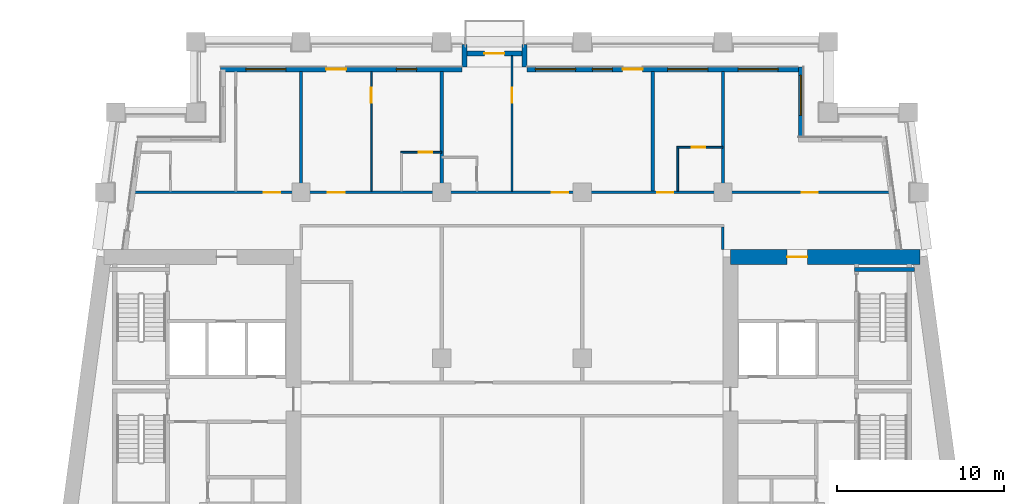
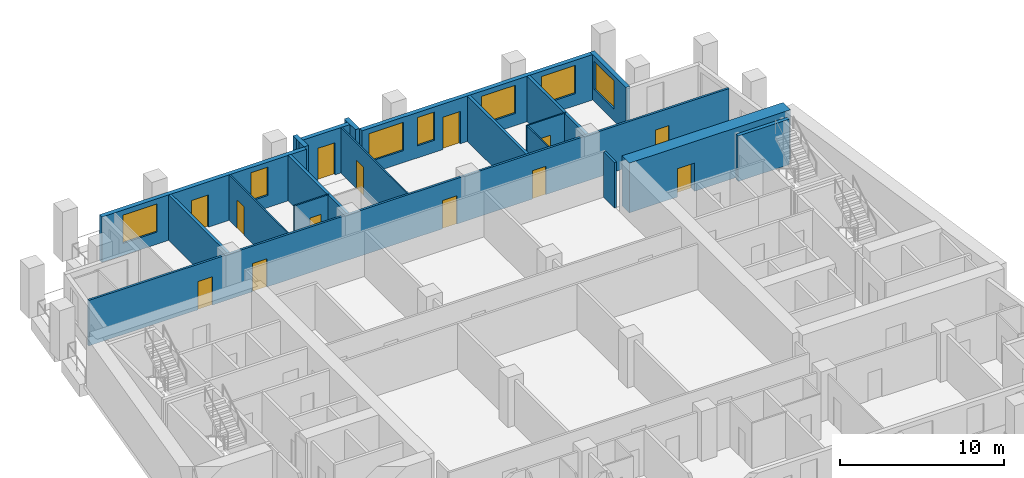
# One storey, part 7 of 13: 19 walls, 13 doors, 7 windows, 20 openings.
"""IFC4 building model written with IfcOpenShell, lengths in metres."""

import ifcopenshell
import ifcopenshell.guid

model = None  # the IFC model being written
_history = None  # IfcOwnerHistory: only IFC2X3 demands one
_inside = {}  # id of a spatial element -> (the spatial element, [elements in it])
_under = {}  # id of a project, library or spatial element -> (it, [spatial elements below it])
_declared = {}  # id of a project -> (the project, [libraries it declares])
_typed = {}  # id of a type object -> (the type object, [elements of that type])
_made_of = {}  # id of a material, layer set ... -> (it, [elements and type objects made of it])


def new_model(schema):
    """Start an empty IFC model of exactly this schema.

    Asked for "IFC4X3", IfcOpenShell would pick the latest addendum, in which some entities
    have other attributes; the version numbers below select the first issue.
    IFC2X3 requires an IfcOwnerHistory on every rooted entity: one is made here for all.
    """
    global model, _history
    if schema == "IFC4X3":
        model = ifcopenshell.file(schema_version=(4, 3, 0, 0))
    else:
        model = ifcopenshell.file(schema=schema)
    _inside.clear()
    _under.clear()
    _declared.clear()
    _typed.clear()
    _made_of.clear()
    _history = None
    if model.schema == "IFC2X3":
        org = make("IfcOrganization", Name="unknown")
        user = make(
            "IfcPersonAndOrganization",
            ThePerson=make("IfcPerson", FamilyName="unknown"),
            TheOrganization=org,
        )
        app = make(
            "IfcApplication",
            ApplicationDeveloper=org,
            Version="unknown",
            ApplicationFullName="unknown",
            ApplicationIdentifier="unknown",
        )
        _history = make(
            "IfcOwnerHistory",
            OwningUser=user,
            OwningApplication=app,
            ChangeAction="ADDED",
            CreationDate=0,
        )
    return model


def make(cls, **values):
    """One entity of the class cls with the attributes given. An attribute that is None is left unset."""
    return model.create_entity(
        cls, **{name: value for name, value in values.items() if value is not None}
    )


def rooted(cls, **values):
    """An entity with a GlobalId (a new one), such as an element, a storey or a relation."""
    return make(cls, GlobalId=ifcopenshell.guid.new(), OwnerHistory=_history, **values)


def si_unit(unit_type, name, prefix=None):
    """IfcSIUnit, for example si_unit("LENGTHUNIT", "METRE", prefix="MILLI")."""
    return make("IfcSIUnit", UnitType=unit_type, Prefix=prefix, Name=name)


def assignment(units):
    """IfcUnitAssignment: the units of a project."""
    return None if units is None else make("IfcUnitAssignment", Units=units)


def point(xyz):
    """IfcCartesianPoint."""
    return None if xyz is None else make("IfcCartesianPoint", Coordinates=xyz)


def direction(xyz):
    """IfcDirection."""
    return None if xyz is None else make("IfcDirection", DirectionRatios=xyz)


def frame(location, z_axis=None, x_axis=None):
    """IfcAxis2Placement3D, a coordinate frame: its origin and axes. An axis left out is left unset."""
    return make(
        "IfcAxis2Placement3D",
        Location=point(location),
        Axis=direction(z_axis),
        RefDirection=direction(x_axis),
    )


def frame_2d(location, x_axis=None):
    """IfcAxis2Placement2D, a coordinate frame in the plane: its origin and x axis."""
    return make(
        "IfcAxis2Placement2D", Location=point(location), RefDirection=direction(x_axis)
    )


def origin():
    """The frame at (0, 0, 0) with its axes left unset."""
    return frame((0.0, 0.0, 0.0))


def place(relative_to, where):
    """IfcLocalPlacement: puts the frame where relative to a parent placement (None: the world)."""
    return make(
        "IfcLocalPlacement", PlacementRelTo=relative_to, RelativePlacement=where
    )


def context(
    kind, dimensions, precision=None, world=None, true_north=None, identifier=None
):
    """IfcGeometricRepresentationContext, for example the 3D "Model" context."""
    return make(
        "IfcGeometricRepresentationContext",
        ContextIdentifier=identifier,
        ContextType=kind,
        CoordinateSpaceDimension=dimensions,
        Precision=precision,
        WorldCoordinateSystem=world,
        TrueNorth=true_north,
    )


def subcontext(parent, identifier, kind, view, scale=None):
    """IfcGeometricRepresentationSubContext, for example "Body" below "Model"."""
    return make(
        "IfcGeometricRepresentationSubContext",
        ContextIdentifier=identifier,
        ContextType=kind,
        ParentContext=parent,
        TargetScale=scale,
        TargetView=view,
    )


def project(units=None, contexts=None):
    """IfcProject with its units and contexts."""
    return rooted(
        "IfcProject",
        Name="project",
        RepresentationContexts=contexts,
        UnitsInContext=assignment(units),
    )


def spatial(cls, under=None, at=None, **own):
    """A site, building, storey or space (cls), placed at a placement, below another one or the project."""
    s = rooted(cls, ObjectPlacement=at, **own)
    if under is not None:
        _under.setdefault(under.id(), (under, []))[1].append(s)
    return s


def profile(cls, at=None, kind="AREA", **sizes):
    """A parametric profile (cls). Its sizes go by their IFC names, for example OverallWidth=200.0."""
    return make(cls, ProfileType=kind, Position=at, **sizes)


def rectangle(**sizes):
    """IfcRectangleProfileDef."""
    return profile("IfcRectangleProfileDef", **sizes)


def extrude(swept, where, along, depth):
    """IfcExtrudedAreaSolid: the profile swept, set in the frame where, extruded along a direction by depth."""
    return make(
        "IfcExtrudedAreaSolid",
        SweptArea=swept,
        Position=where,
        ExtrudedDirection=direction(along),
        Depth=depth,
    )


def shape(context_of_items, identifier, shape_type, items):
    """IfcShapeRepresentation: the items that make up one representation, for example the "Body"."""
    return make(
        "IfcShapeRepresentation",
        ContextOfItems=context_of_items,
        RepresentationIdentifier=identifier,
        RepresentationType=shape_type,
        Items=items,
    )


def material(Name=None, Category=None):
    """IfcMaterial."""
    return make("IfcMaterial", Name=Name, Category=Category)


def layer(
    of_material, thickness, ventilated=None, Name=None, Category=None, Priority=None
):
    """IfcMaterialLayer: one layer of a wall or slab, of a material (None: an air gap)."""
    return make(
        "IfcMaterialLayer",
        Material=of_material,
        LayerThickness=thickness,
        IsVentilated=ventilated,
        Name=Name,
        Category=Category,
        Priority=Priority,
    )


def layer_set(layers, Name=None):
    """IfcMaterialLayerSet."""
    return make("IfcMaterialLayerSet", MaterialLayers=layers, LayerSetName=Name)


def made_of(thing, what):
    """Note that an element or type object is made of a material, layer set ...; save() writes the relation."""
    if what is not None:
        _made_of.setdefault(what.id(), (what, []))[1].append(thing)
    return thing


def type_object(cls, material=None, **own):
    """A type object (cls), such as IfcWallType, which elements share."""
    return made_of(rooted(cls, **own), material)


def element(
    cls,
    number,
    at=None,
    inside=None,
    cuts=None,
    type_object=None,
    material=None,
    context=None,
    identifier="Body",
    shape_type=None,
    held_by="IfcProductDefinitionShape",
    body=None,
    shapes=None,
    **own,
):
    """One element of the class cls, such as IfcWall. Its Tag is "e" and its number.

    at: its placement. inside: the storey or other place that contains it. cuts: it is an
    opening in that element (IfcRelVoidsElement). A single representation is given by context,
    identifier, shape_type and body (its items); several are given by shapes. held_by: the class
    of the entity that holds the representations. save() writes the other relations.
    """
    e = rooted(cls, Tag="e%d" % number, ObjectPlacement=at, **own)
    if body is not None:
        shapes = [shape(context, identifier, shape_type, body)]
    if shapes is not None:
        e.Representation = make(held_by, Representations=shapes)
    if inside is not None:
        _inside.setdefault(inside.id(), (inside, []))[1].append(e)
    if cuts is not None:
        rooted(
            "IfcRelVoidsElement", RelatingBuildingElement=cuts, RelatedOpeningElement=e
        )
    if type_object is not None:
        _typed.setdefault(type_object.id(), (type_object, []))[1].append(e)
    return made_of(e, material)


def fill(opening, filler):
    """IfcRelFillsElement: the door or window that sits in an opening."""
    return rooted(
        "IfcRelFillsElement",
        RelatingOpeningElement=opening,
        RelatedBuildingElement=filler,
    )


def aggregate(whole, parts):
    """IfcRelAggregates: a whole, such as a stair, and the parts it consists of."""
    return rooted("IfcRelAggregates", RelatingObject=whole, RelatedObjects=parts)


def save(model, path):
    """Write the relations noted so far, then the file.

    IfcRelAggregates (storeys below a building ...), IfcRelContainedInSpatialStructure (elements
    in a storey), IfcRelDefinesByType, IfcRelAssociatesMaterial and IfcRelDeclares: one each for
    every whole, place, type object, material and project.
    """
    for whole, parts in _under.values():
        aggregate(whole, parts)
    for where, things in _inside.values():
        rooted(
            "IfcRelContainedInSpatialStructure",
            RelatedElements=things,
            RelatingStructure=where,
        )
    for kind, things in _typed.values():
        rooted("IfcRelDefinesByType", RelatedObjects=things, RelatingType=kind)
    for what, things in _made_of.values():
        rooted("IfcRelAssociatesMaterial", RelatedObjects=things, RelatingMaterial=what)
    for by, libraries in _declared.values():
        rooted("IfcRelDeclares", RelatingContext=by, RelatedDefinitions=libraries)
    model.write(path)


model = new_model("IFC4")

# Units and contexts
model_context = context("Model", 3, precision=1e-05, world=origin(), true_north=direction((0.0, 1.0)))
body_context = subcontext(model_context, "Body", "Model", "MODEL_VIEW")
ifc_project = project(units=[si_unit("LENGTHUNIT", "METRE"), si_unit("AREAUNIT", "SQUARE_METRE"), si_unit("VOLUMEUNIT", "CUBIC_METRE"), si_unit("PLANEANGLEUNIT", "RADIAN"), si_unit("MASSUNIT", "GRAM", prefix="KILO")], contexts=[model_context])

# Site, building, storey
site_placement = place(None, origin())
site = spatial("IfcSite", under=ifc_project, at=site_placement, CompositionType="ELEMENT")
building_placement = place(site_placement, origin())
building = spatial("IfcBuilding", under=site, at=building_placement, Name="Candeia Pilgrim Tower and Theatre", CompositionType="ELEMENT")
storey_placement = place(building_placement, frame((0.0, 0.0, 170.0)))
storey = spatial("IfcBuildingStorey", under=building, at=storey_placement, Name="L40", CompositionType="ELEMENT", Elevation=170.0)

# Wall, opening, door
ifc_material_1 = material(Name="Concrete C60/75", Category="concrete")
ifc_layer_1 = layer(ifc_material_1, 0.89990234375)
ifc_layer_set_1 = layer_set([ifc_layer_1], Name="Core wall 900 C60/75")
wall_type_1 = type_object("IfcWallType", Name="Core wall 900 C60/75", PredefinedType="SHEAR", material=ifc_layer_set_1)
wall_1_placement = place(storey_placement, frame((126.449951171875, 131.949951171875, 0.0), z_axis=(0.0, 0.0, 1.0), x_axis=(1.0, 0.0, 0.0)))
wall_1 = element("IfcWall", 1, at=wall_1_placement, inside=storey, type_object=wall_type_1, Name="Core wall E1", PredefinedType="SHEAR", context=body_context, shape_type="SweptSolid", body=[
    extrude(rectangle(XDim=11.32568359375, YDim=0.89990234375, at=frame_2d((5.662841796875, 0.0))), origin(), (0.0, 0.0, 1.0), 3.699951171875),
])
opening_1_placement = place(wall_1_placement, frame((3.386474609375, 0.0, 0.0)))
opening_1 = element("IfcOpeningElement", 2, at=opening_1_placement, cuts=wall_1, Name="Opening L40-D054", PredefinedType="OPENING", context=body_context, shape_type="SweptSolid", body=[
    extrude(rectangle(XDim=1.199951171875, YDim=2.10009765625, at=frame_2d((0.60009765625, 1.050048828125))), frame((0.0, 0.4599609375, 0.0), z_axis=(0.0, -1.0, 0.0), x_axis=(1.0, 0.0, 0.0)), (0.0, 0.0, 1.0), 0.919921875),
])
ifc_material_2 = material(Name="Steel fire door set", Category="steel")
door_type_1 = type_object("IfcDoorType", Name="D-1200-FD60", OperationType="NOTDEFINED", PredefinedType="DOOR", material=ifc_material_2)
door_1_placement = place(opening_1_placement, origin())
door_1 = element("IfcDoor", 3, at=door_1_placement, inside=storey, type_object=door_type_1, Name="Door L40-D054", OperationType="SINGLE_SWING_RIGHT", OverallHeight=2.10009765625, OverallWidth=1.199951171875, PredefinedType="DOOR", context=body_context, shape_type="SweptSolid", body=[
    extrude(rectangle(XDim=1.199951171875, YDim=2.10009765625, at=frame_2d((0.60009765625, 1.050048828125))), frame((0.0, 0.02490234375, 0.0), z_axis=(0.0, -1.0, 0.0), x_axis=(1.0, 0.0, 0.0)), (0.0, 0.0, 1.0), 0.050048828125),
])
fill(opening_1, door_1)

# Wall, opening, window
ifc_material_3 = material(Name="Ceramic block masonry", Category="masonry")
ifc_layer_2 = layer(ifc_material_3, 0.300048828125)
ifc_layer_set_2 = layer_set([ifc_layer_2], Name="EW1 glazing-line wall 300")
wall_type_2 = type_object("IfcWallType", Name="EW1 glazing-line wall 300", PredefinedType="SOLIDWALL", material=ifc_layer_set_2)
wall_2_placement = place(storey_placement, frame((130.64990234375, 138.949951171875, 0.0), z_axis=(0.0, 0.0, 1.0), x_axis=(0.0, 1.0, 0.0)))
wall_2 = element("IfcWall", 4, at=wall_2_placement, inside=storey, type_object=wall_type_2, Name="External wall L40-5.0", PredefinedType="SOLIDWALL", context=body_context, shape_type="SweptSolid", body=[
    extrude(rectangle(XDim=4.35009765625, YDim=0.300048828125, at=frame_2d((2.175048828125, 0.0))), origin(), (0.0, 0.0, 1.0), 3.3798828125),
])
opening_2_placement = place(wall_2_placement, frame((1.449951171875, 0.0, 0.89990234375)))
opening_2 = element("IfcOpeningElement", 5, at=opening_2_placement, cuts=wall_2, Name="Opening W-A", PredefinedType="OPENING", context=body_context, shape_type="SweptSolid", body=[
    extrude(rectangle(XDim=2.39990234375, YDim=2.10009765625, at=frame_2d((1.199951171875, 1.050048828125))), frame((0.0, 0.16015625, 0.0), z_axis=(0.0, -1.0, 0.0), x_axis=(1.0, 0.0, 0.0)), (0.0, 0.0, 1.0), 0.320068359375),
])
ifc_material_4 = material(Name="Aluminium framed double glazing", Category="aluminium")
window_type_1 = type_object("IfcWindowType", Name="W-A window 2400x2100", PartitioningType="DOUBLE_PANEL_VERTICAL", PredefinedType="WINDOW", material=ifc_material_4)
window_1_placement = place(opening_2_placement, origin())
window_1 = element("IfcWindow", 6, at=window_1_placement, inside=storey, type_object=window_type_1, Name="Window W-A L40", OverallHeight=2.10009765625, OverallWidth=2.39990234375, PartitioningType="SINGLE_PANEL", PredefinedType="WINDOW", context=body_context, shape_type="SweptSolid", body=[
    extrude(rectangle(XDim=2.39990234375, YDim=2.10009765625, at=frame_2d((1.199951171875, 1.050048828125))), frame((0.0, 0.030029296875, 0.0), z_axis=(0.0, -1.0, 0.0), x_axis=(1.0, 0.0, 0.0)), (0.0, 0.0, 1.0), 0.06005859375),
])
fill(opening_2, window_1)

# Wall, openings, door, windows
wall_3_placement = place(storey_placement, frame((130.64990234375, 143.14990234375, 0.0), z_axis=(0.0, 0.0, 1.0), x_axis=(-1.0, 0.0, 0.0)))
wall_3 = element("IfcWall", 7, at=wall_3_placement, inside=storey, type_object=wall_type_2, Name="External wall L40-6.0", PredefinedType="SOLIDWALL", context=body_context, shape_type="SweptSolid", body=[
    extrude(rectangle(XDim=16.349853515625, YDim=0.300048828125, at=frame_2d((8.1748046875, 0.0))), origin(), (0.0, 0.0, 1.0), 3.3798828125),
])
opening_3_placement = place(wall_3_placement, frame((1.35009765625, 0.0, 0.89990234375)))
opening_3 = element("IfcOpeningElement", 8, at=opening_3_placement, cuts=wall_3, Name="Opening W-A", PredefinedType="OPENING", context=body_context, shape_type="SweptSolid", body=[
    extrude(rectangle(XDim=2.39990234375, YDim=2.10009765625, at=frame_2d((1.199951171875, 1.050048828125))), frame((0.0, 0.16015625, 0.0), z_axis=(0.0, -1.0, 0.0), x_axis=(1.0, 0.0, 0.0)), (0.0, 0.0, 1.0), 0.320068359375),
])
opening_4_placement = place(wall_3_placement, frame((5.550048828125, 0.0, 0.89990234375)))
opening_4 = element("IfcOpeningElement", 9, at=opening_4_placement, cuts=wall_3, Name="Opening W-A", PredefinedType="OPENING", context=body_context, shape_type="SweptSolid", body=[
    extrude(rectangle(XDim=2.39990234375, YDim=2.10009765625, at=frame_2d((1.199951171875, 1.050048828125))), frame((0.0, 0.16015625, 0.0), z_axis=(0.0, -1.0, 0.0), x_axis=(1.0, 0.0, 0.0)), (0.0, 0.0, 1.0), 0.320068359375),
])
opening_5_placement = place(wall_3_placement, frame((9.449951171875, 0.0, 0.0)))
opening_5 = element("IfcOpeningElement", 10, at=opening_5_placement, cuts=wall_3, Name="Opening L40-ED386", PredefinedType="OPENING", context=body_context, shape_type="SweptSolid", body=[
    extrude(rectangle(XDim=1.199951171875, YDim=2.39990234375, at=frame_2d((0.60009765625, 1.199951171875))), frame((0.0, 0.16015625, 0.0), z_axis=(0.0, -1.0, 0.0), x_axis=(1.0, 0.0, 0.0)), (0.0, 0.0, 1.0), 0.320068359375),
])
opening_6_placement = place(wall_3_placement, frame((11.25, 0.0, 0.89990234375)))
opening_6 = element("IfcOpeningElement", 11, at=opening_6_placement, cuts=wall_3, Name="Opening W-B", PredefinedType="OPENING", context=body_context, shape_type="SweptSolid", body=[
    extrude(rectangle(XDim=1.199951171875, YDim=2.10009765625, at=frame_2d((0.60009765625, 1.050048828125))), frame((0.0, 0.16015625, 0.0), z_axis=(0.0, -1.0, 0.0), x_axis=(1.0, 0.0, 0.0)), (0.0, 0.0, 1.0), 0.320068359375),
])
opening_7_placement = place(wall_3_placement, frame((13.449951171875, 0.0, 0.89990234375)))
opening_7 = element("IfcOpeningElement", 12, at=opening_7_placement, cuts=wall_3, Name="Opening W-A", PredefinedType="OPENING", context=body_context, shape_type="SweptSolid", body=[
    extrude(rectangle(XDim=2.39990234375, YDim=2.10009765625, at=frame_2d((1.199951171875, 1.050048828125))), frame((0.0, 0.16015625, 0.0), z_axis=(0.0, -1.0, 0.0), x_axis=(1.0, 0.0, 0.0)), (0.0, 0.0, 1.0), 0.320068359375),
])
ifc_material_5 = material(Name="Aluminium framed glazed door", Category="aluminium")
door_type_2 = type_object("IfcDoorType", Name="Loggia door 1200x2400", OperationType="DOUBLE_DOOR_SINGLE_SWING", PredefinedType="DOOR", material=ifc_material_5)
door_2_placement = place(opening_5_placement, origin())
door_2 = element("IfcDoor", 13, at=door_2_placement, inside=storey, type_object=door_type_2, Name="Loggia door L40-ED386", OperationType="DOUBLE_DOOR_SINGLE_SWING", OverallHeight=2.39990234375, OverallWidth=1.199951171875, PredefinedType="DOOR", context=body_context, shape_type="SweptSolid", body=[
    extrude(rectangle(XDim=1.199951171875, YDim=2.39990234375, at=frame_2d((0.60009765625, 1.199951171875))), frame((0.0, 0.02490234375, 0.0), z_axis=(0.0, -1.0, 0.0), x_axis=(1.0, 0.0, 0.0)), (0.0, 0.0, 1.0), 0.050048828125),
])
fill(opening_5, door_2)
window_2_placement = place(opening_3_placement, origin())
window_2 = element("IfcWindow", 14, at=window_2_placement, inside=storey, type_object=window_type_1, Name="Window W-A L40", OverallHeight=2.10009765625, OverallWidth=2.39990234375, PartitioningType="SINGLE_PANEL", PredefinedType="WINDOW", context=body_context, shape_type="SweptSolid", body=[
    extrude(rectangle(XDim=2.39990234375, YDim=2.10009765625, at=frame_2d((1.199951171875, 1.050048828125))), frame((0.0, 0.030029296875, 0.0), z_axis=(0.0, -1.0, 0.0), x_axis=(1.0, 0.0, 0.0)), (0.0, 0.0, 1.0), 0.06005859375),
])
fill(opening_3, window_2)
window_3_placement = place(opening_4_placement, origin())
window_3 = element("IfcWindow", 15, at=window_3_placement, inside=storey, type_object=window_type_1, Name="Window W-A L40", OverallHeight=2.10009765625, OverallWidth=2.39990234375, PartitioningType="SINGLE_PANEL", PredefinedType="WINDOW", context=body_context, shape_type="SweptSolid", body=[
    extrude(rectangle(XDim=2.39990234375, YDim=2.10009765625, at=frame_2d((1.199951171875, 1.050048828125))), frame((0.0, 0.030029296875, 0.0), z_axis=(0.0, -1.0, 0.0), x_axis=(1.0, 0.0, 0.0)), (0.0, 0.0, 1.0), 0.06005859375),
])
fill(opening_4, window_3)
window_4_placement = place(opening_7_placement, origin())
window_4 = element("IfcWindow", 16, at=window_4_placement, inside=storey, type_object=window_type_1, Name="Window W-A L40", OverallHeight=2.10009765625, OverallWidth=2.39990234375, PartitioningType="SINGLE_PANEL", PredefinedType="WINDOW", context=body_context, shape_type="SweptSolid", body=[
    extrude(rectangle(XDim=2.39990234375, YDim=2.10009765625, at=frame_2d((1.199951171875, 1.050048828125))), frame((0.0, 0.030029296875, 0.0), z_axis=(0.0, -1.0, 0.0), x_axis=(1.0, 0.0, 0.0)), (0.0, 0.0, 1.0), 0.06005859375),
])
fill(opening_7, window_4)
window_type_2 = type_object("IfcWindowType", Name="W-B window 1200x2100", PartitioningType="SINGLE_PANEL", PredefinedType="WINDOW", material=ifc_material_4)
window_5_placement = place(opening_6_placement, origin())
window_5 = element("IfcWindow", 17, at=window_5_placement, inside=storey, type_object=window_type_2, Name="Window W-B L40", OverallHeight=2.10009765625, OverallWidth=1.199951171875, PartitioningType="SINGLE_PANEL", PredefinedType="WINDOW", context=body_context, shape_type="SweptSolid", body=[
    extrude(rectangle(XDim=1.199951171875, YDim=2.10009765625, at=frame_2d((0.60009765625, 1.050048828125))), frame((0.0, 0.030029296875, 0.0), z_axis=(0.0, -1.0, 0.0), x_axis=(1.0, 0.0, 0.0)), (0.0, 0.0, 1.0), 0.06005859375),
])
fill(opening_6, window_5)

wall_4_placement = place(storey_placement, frame((110.39990234375, 143.14990234375, 0.0), z_axis=(0.0, 0.0, 1.0), x_axis=(-1.0, 0.0, 0.0)))
wall_4 = element("IfcWall", 18, at=wall_4_placement, inside=storey, type_object=wall_type_2, Name="External wall L40-6.1", PredefinedType="SOLIDWALL", context=body_context, shape_type="SweptSolid", body=[
    extrude(rectangle(XDim=14.39990234375, YDim=0.300048828125, at=frame_2d((7.199951171875, 0.0))), origin(), (0.0, 0.0, 1.0), 3.3798828125),
])
opening_8_placement = place(wall_4_placement, frame((2.699951171875, 0.0, 0.89990234375)))
opening_8 = element("IfcOpeningElement", 19, at=opening_8_placement, cuts=wall_4, Name="Opening W-B", PredefinedType="OPENING", context=body_context, shape_type="SweptSolid", body=[
    extrude(rectangle(XDim=1.199951171875, YDim=2.10009765625, at=frame_2d((0.60009765625, 1.050048828125))), frame((0.0, 0.16015625, 0.0), z_axis=(0.0, -1.0, 0.0), x_axis=(1.0, 0.0, 0.0)), (0.0, 0.0, 1.0), 0.320068359375),
])
opening_9_placement = place(wall_4_placement, frame((6.89990234375, 0.0, 0.0)))
opening_9 = element("IfcOpeningElement", 20, at=opening_9_placement, cuts=wall_4, Name="Opening L40-ED387", PredefinedType="OPENING", context=body_context, shape_type="SweptSolid", body=[
    extrude(rectangle(XDim=1.199951171875, YDim=2.39990234375, at=frame_2d((0.60009765625, 1.199951171875))), frame((0.0, 0.16015625, 0.0), z_axis=(0.0, -1.0, 0.0), x_axis=(1.0, 0.0, 0.0)), (0.0, 0.0, 1.0), 0.320068359375),
])
opening_10_placement = place(wall_4_placement, frame((10.5, 0.0, 0.89990234375)))
opening_10 = element("IfcOpeningElement", 21, at=opening_10_placement, cuts=wall_4, Name="Opening W-A", PredefinedType="OPENING", context=body_context, shape_type="SweptSolid", body=[
    extrude(rectangle(XDim=2.39990234375, YDim=2.10009765625, at=frame_2d((1.199951171875, 1.050048828125))), frame((0.0, 0.16015625, 0.0), z_axis=(0.0, -1.0, 0.0), x_axis=(1.0, 0.0, 0.0)), (0.0, 0.0, 1.0), 0.320068359375),
])
door_3_placement = place(opening_9_placement, origin())
door_3 = element("IfcDoor", 22, at=door_3_placement, inside=storey, type_object=door_type_2, Name="Loggia door L40-ED387", OperationType="DOUBLE_DOOR_SINGLE_SWING", OverallHeight=2.39990234375, OverallWidth=1.199951171875, PredefinedType="DOOR", context=body_context, shape_type="SweptSolid", body=[
    extrude(rectangle(XDim=1.199951171875, YDim=2.39990234375, at=frame_2d((0.60009765625, 1.199951171875))), frame((0.0, 0.02490234375, 0.0), z_axis=(0.0, -1.0, 0.0), x_axis=(1.0, 0.0, 0.0)), (0.0, 0.0, 1.0), 0.050048828125),
])
fill(opening_9, door_3)
window_6_placement = place(opening_10_placement, origin())
window_6 = element("IfcWindow", 23, at=window_6_placement, inside=storey, type_object=window_type_1, Name="Window W-A L40", OverallHeight=2.10009765625, OverallWidth=2.39990234375, PartitioningType="SINGLE_PANEL", PredefinedType="WINDOW", context=body_context, shape_type="SweptSolid", body=[
    extrude(rectangle(XDim=2.39990234375, YDim=2.10009765625, at=frame_2d((1.199951171875, 1.050048828125))), frame((0.0, 0.030029296875, 0.0), z_axis=(0.0, -1.0, 0.0), x_axis=(1.0, 0.0, 0.0)), (0.0, 0.0, 1.0), 0.06005859375),
])
fill(opening_10, window_6)
window_7_placement = place(opening_8_placement, origin())
window_7 = element("IfcWindow", 24, at=window_7_placement, inside=storey, type_object=window_type_2, Name="Window W-B L40", OverallHeight=2.10009765625, OverallWidth=1.199951171875, PartitioningType="SINGLE_PANEL", PredefinedType="WINDOW", context=body_context, shape_type="SweptSolid", body=[
    extrude(rectangle(XDim=1.199951171875, YDim=2.10009765625, at=frame_2d((0.60009765625, 1.050048828125))), frame((0.0, 0.030029296875, 0.0), z_axis=(0.0, -1.0, 0.0), x_axis=(1.0, 0.0, 0.0)), (0.0, 0.0, 1.0), 0.06005859375),
])
fill(opening_8, window_7)

# Walls
ifc_layer_3 = layer(ifc_material_3, 0.300048828125)
ifc_layer_set_3 = layer_set([ifc_layer_3], Name="EW2 entrance infill wall 300")
wall_type_3 = type_object("IfcWallType", Name="EW2 entrance infill wall 300", PredefinedType="SOLIDWALL", material=ifc_layer_set_3)
for number, where, z_axis, x_axis, name in (
    (25, (114.14990234375, 143.300048828125, 0.0), (0.0, 0.0, 1.0), (0.0, 1.0, 0.0), "Alcove wall L40"),
    (26, (110.550048828125, 143.300048828125, 0.0), (0.0, 0.0, 1.0), (0.0, 1.0, 0.0), "Alcove wall L40"),
):
    element("IfcWall", number, at=place(storey_placement, frame(where, z_axis=z_axis, x_axis=x_axis)), inside=storey, type_object=wall_type_3, Name=name, PredefinedType="SOLIDWALL", context=body_context, shape_type="SweptSolid", body=[
        extrude(rectangle(XDim=1.349853515625, YDim=0.300048828125, at=frame_2d((0.6748046875, 0.0))), origin(), (0.0, 0.0, 1.0), 3.3798828125),
    ])

# Wall, opening, door
wall_5_placement = place(storey_placement, frame((114.300048828125, 144.10009765625, 0.0), z_axis=(0.0, 0.0, 1.0), x_axis=(-1.0, 0.0, 0.0)))
wall_5 = element("IfcWall", 27, at=wall_5_placement, inside=storey, type_object=wall_type_3, Name="Alcove wall L40", PredefinedType="SOLIDWALL", context=body_context, shape_type="SweptSolid", body=[
    extrude(rectangle(XDim=3.900146484375, YDim=0.300048828125, at=frame_2d((1.9501953125, 0.0))), origin(), (0.0, 0.0, 1.0), 3.3798828125),
])
opening_11_placement = place(wall_5_placement, frame((1.35009765625, 0.0, 0.0)))
opening_11 = element("IfcOpeningElement", 28, at=opening_11_placement, cuts=wall_5, Name="Opening L40-ED388", PredefinedType="OPENING", context=body_context, shape_type="SweptSolid", body=[
    extrude(rectangle(XDim=1.199951171875, YDim=2.39990234375, at=frame_2d((0.60009765625, 1.199951171875))), frame((0.0, 0.16015625, 0.0), z_axis=(0.0, -1.0, 0.0), x_axis=(1.0, 0.0, 0.0)), (0.0, 0.0, 1.0), 0.320068359375),
])
door_4_placement = place(opening_11_placement, origin())
door_4 = element("IfcDoor", 29, at=door_4_placement, inside=storey, type_object=door_type_2, Name="Balcony door L40-ED388", OperationType="DOUBLE_DOOR_SINGLE_SWING", OverallHeight=2.39990234375, OverallWidth=1.199951171875, PredefinedType="DOOR", context=body_context, shape_type="SweptSolid", body=[
    extrude(rectangle(XDim=1.199951171875, YDim=2.39990234375, at=frame_2d((0.60009765625, 1.199951171875))), frame((0.0, 0.02490234375, 0.0), z_axis=(0.0, -1.0, 0.0), x_axis=(1.0, 0.0, 0.0)), (0.0, 0.0, 1.0), 0.050048828125),
])
fill(opening_11, door_4)

ifc_material_6 = material(Name="Gypsum board partition on steel studs", Category="steel")
ifc_layer_4 = layer(ifc_material_6, 0.10009765625)
ifc_layer_set_4 = layer_set([ifc_layer_4], Name="PW-100 room partition")
wall_type_4 = type_object("IfcWallType", Name="PW-100 room partition", PredefinedType="PARTITIONING", material=ifc_layer_set_4)
wall_6_placement = place(storey_placement, frame((106.75, 138.199951171875, 0.0), z_axis=(0.0, 0.0, 1.0), x_axis=(1.0, 0.0, 0.0)))
wall_6 = element("IfcWall", 30, at=wall_6_placement, inside=storey, type_object=wall_type_4, Name="Room partition L40-045", PredefinedType="PARTITIONING", context=body_context, shape_type="SweptSolid", body=[
    extrude(rectangle(XDim=2.449951171875, YDim=0.10009765625, at=frame_2d((1.22509765625, 0.0))), origin(), (0.0, 0.0, 1.0), 3.3798828125),
])
opening_12_placement = place(wall_6_placement, frame((1.074951171875, 0.0, 0.0)))
opening_12 = element("IfcOpeningElement", 31, at=opening_12_placement, cuts=wall_6, Name="Opening L40-D036", PredefinedType="OPENING", context=body_context, shape_type="SweptSolid", body=[
    extrude(rectangle(XDim=0.800048828125, YDim=2.10009765625, at=frame_2d((0.39990234375, 1.050048828125))), frame((0.0, 0.06005859375, 0.0), z_axis=(0.0, -1.0, 0.0), x_axis=(1.0, 0.0, 0.0)), (0.0, 0.0, 1.0), 0.1201171875),
])
ifc_material_7 = material(Name="Timber door leaf", Category="wood")
door_type_3 = type_object("IfcDoorType", Name="D-800", OperationType="NOTDEFINED", PredefinedType="DOOR", material=ifc_material_7)
door_5_placement = place(opening_12_placement, origin())
door_5 = element("IfcDoor", 32, at=door_5_placement, inside=storey, type_object=door_type_3, Name="Door L40-D036", OperationType="SINGLE_SWING_RIGHT", OverallHeight=2.10009765625, OverallWidth=0.800048828125, PredefinedType="DOOR", context=body_context, shape_type="SweptSolid", body=[
    extrude(rectangle(XDim=0.800048828125, YDim=2.10009765625, at=frame_2d((0.39990234375, 1.050048828125))), frame((0.0, 0.02490234375, 0.0), z_axis=(0.0, -1.0, 0.0), x_axis=(1.0, 0.0, 0.0)), (0.0, 0.0, 1.0), 0.050048828125),
])
fill(opening_12, door_5)

wall_7_placement = place(storey_placement, frame((123.25, 138.5, 0.0), z_axis=(0.0, 0.0, 1.0), x_axis=(1.0, 0.0, 0.0)))
wall_7 = element("IfcWall", 33, at=wall_7_placement, inside=storey, type_object=wall_type_4, Name="Room partition L40-046", PredefinedType="PARTITIONING", context=body_context, shape_type="SweptSolid", body=[
    extrude(rectangle(XDim=2.75, YDim=0.10009765625, at=frame_2d((1.375, 0.0))), origin(), (0.0, 0.0, 1.0), 3.3798828125),
])
opening_13_placement = place(wall_7_placement, frame((0.8798828125, 0.0, 0.0)))
opening_13 = element("IfcOpeningElement", 34, at=opening_13_placement, cuts=wall_7, Name="Opening L40-D041", PredefinedType="OPENING", context=body_context, shape_type="SweptSolid", body=[
    extrude(rectangle(XDim=0.800048828125, YDim=2.10009765625, at=frame_2d((0.39990234375, 1.050048828125))), frame((0.0, 0.06005859375, 0.0), z_axis=(0.0, -1.0, 0.0), x_axis=(1.0, 0.0, 0.0)), (0.0, 0.0, 1.0), 0.1201171875),
])
door_6_placement = place(opening_13_placement, origin())
door_6 = element("IfcDoor", 35, at=door_6_placement, inside=storey, type_object=door_type_3, Name="Door L40-D041", OperationType="SINGLE_SWING_LEFT", OverallHeight=2.10009765625, OverallWidth=0.800048828125, PredefinedType="DOOR", context=body_context, shape_type="SweptSolid", body=[
    extrude(rectangle(XDim=0.800048828125, YDim=2.10009765625, at=frame_2d((0.39990234375, 1.050048828125))), frame((0.0, 0.02490234375, 0.0), z_axis=(0.0, -1.0, 0.0), x_axis=(1.0, 0.0, 0.0)), (0.0, 0.0, 1.0), 0.050048828125),
])
fill(opening_13, door_6)

wall_8_placement = place(storey_placement, frame((105.0, 135.875, 0.0), z_axis=(0.0, 0.0, 1.0), x_axis=(0.0, 1.0, 0.0)))
wall_8 = element("IfcWall", 36, at=wall_8_placement, inside=storey, type_object=wall_type_4, Name="Room partition L40-075", PredefinedType="PARTITIONING", context=body_context, shape_type="SweptSolid", body=[
    extrude(rectangle(XDim=7.135009765625, YDim=0.10009765625, at=frame_2d((3.5673828125, 0.0))), origin(), (0.0, 0.0, 1.0), 3.3798828125),
])
opening_14_placement = place(wall_8_placement, frame((5.2900390625, 0.0, 0.0)))
opening_14 = element("IfcOpeningElement", 37, at=opening_14_placement, cuts=wall_8, Name="Opening L40-D035", PredefinedType="OPENING", context=body_context, shape_type="SweptSolid", body=[
    extrude(rectangle(XDim=0.89990234375, YDim=2.10009765625, at=frame_2d((0.449951171875, 1.050048828125))), frame((0.0, 0.06005859375, 0.0), z_axis=(0.0, -1.0, 0.0), x_axis=(1.0, 0.0, 0.0)), (0.0, 0.0, 1.0), 0.1201171875),
])
door_type_4 = type_object("IfcDoorType", Name="D-900", OperationType="NOTDEFINED", PredefinedType="DOOR", material=ifc_material_7)
door_7_placement = place(opening_14_placement, origin())
door_7 = element("IfcDoor", 38, at=door_7_placement, inside=storey, type_object=door_type_4, Name="Door L40-D035", OperationType="SINGLE_SWING_LEFT", OverallHeight=2.10009765625, OverallWidth=0.89990234375, PredefinedType="DOOR", context=body_context, shape_type="SweptSolid", body=[
    extrude(rectangle(XDim=0.89990234375, YDim=2.10009765625, at=frame_2d((0.449951171875, 1.050048828125))), frame((0.0, 0.02490234375, 0.0), z_axis=(0.0, -1.0, 0.0), x_axis=(1.0, 0.0, 0.0)), (0.0, 0.0, 1.0), 0.050048828125),
])
fill(opening_14, door_7)

wall_9_placement = place(storey_placement, frame((113.39990234375, 135.875, 0.0), z_axis=(0.0, 0.0, 1.0), x_axis=(0.0, 1.0, 0.0)))
wall_9 = element("IfcWall", 39, at=wall_9_placement, inside=storey, type_object=wall_type_4, Name="Room partition L40-084", PredefinedType="PARTITIONING", context=body_context, shape_type="SweptSolid", body=[
    extrude(rectangle(XDim=8.0849609375, YDim=0.10009765625, at=frame_2d((4.04248046875, 0.0))), origin(), (0.0, 0.0, 1.0), 3.3798828125),
])
opening_15_placement = place(wall_9_placement, frame((5.2900390625, 0.0, 0.0)))
opening_15 = element("IfcOpeningElement", 40, at=opening_15_placement, cuts=wall_9, Name="Opening L40-D038", PredefinedType="OPENING", context=body_context, shape_type="SweptSolid", body=[
    extrude(rectangle(XDim=0.89990234375, YDim=2.10009765625, at=frame_2d((0.449951171875, 1.050048828125))), frame((0.0, 0.06005859375, 0.0), z_axis=(0.0, -1.0, 0.0), x_axis=(1.0, 0.0, 0.0)), (0.0, 0.0, 1.0), 0.1201171875),
])
door_8_placement = place(opening_15_placement, origin())
door_8 = element("IfcDoor", 41, at=door_8_placement, inside=storey, type_object=door_type_4, Name="Door L40-D038", OperationType="SINGLE_SWING_RIGHT", OverallHeight=2.10009765625, OverallWidth=0.89990234375, PredefinedType="DOOR", context=body_context, shape_type="SweptSolid", body=[
    extrude(rectangle(XDim=0.89990234375, YDim=2.10009765625, at=frame_2d((0.449951171875, 1.050048828125))), frame((0.0, 0.02490234375, 0.0), z_axis=(0.0, -1.0, 0.0), x_axis=(1.0, 0.0, 0.0)), (0.0, 0.0, 1.0), 0.050048828125),
])
fill(opening_15, door_8)

# Wall
wall_10_placement = place(storey_placement, frame((123.300048828125, 135.875, 0.0), z_axis=(0.0, 0.0, 1.0), x_axis=(0.0, 1.0, 0.0)))
element("IfcWall", 42, at=wall_10_placement, inside=storey, type_object=wall_type_4, Name="Room partition L40-091", PredefinedType="PARTITIONING", context=body_context, shape_type="SweptSolid", body=[
    extrude(rectangle(XDim=2.574951171875, YDim=0.10009765625, at=frame_2d((1.28759765625, 0.0))), origin(), (0.0, 0.0, 1.0), 3.3798828125),
])

# Wall, openings, doors
ifc_layer_5 = layer(ifc_material_6, 0.14990234375)
ifc_layer_set_5 = layer_set([ifc_layer_5], Name="PW-150 unit wall")
wall_type_5 = type_object("IfcWallType", Name="PW-150 unit wall", PredefinedType="PARTITIONING", material=ifc_layer_set_5)
wall_11_placement = place(storey_placement, frame((90.89453125, 135.800048828125, 0.0), z_axis=(0.0, 0.0, 1.0), x_axis=(1.0, 0.0, 0.0)))
wall_11 = element("IfcWall", 43, at=wall_11_placement, inside=storey, type_object=wall_type_5, Name="Unit wall L40-042", PredefinedType="PARTITIONING", context=body_context, shape_type="SweptSolid", body=[
    extrude(rectangle(XDim=45.010986328125, YDim=0.14990234375, at=frame_2d((22.50537109375, 0.0))), origin(), (0.0, 0.0, 1.0), 3.3798828125),
])
opening_16_placement = place(wall_11_placement, frame((7.67529296875, 0.0, 0.0)))
opening_16 = element("IfcOpeningElement", 44, at=opening_16_placement, cuts=wall_11, Name="Opening L40-D031", PredefinedType="OPENING", context=body_context, shape_type="SweptSolid", body=[
    extrude(rectangle(XDim=1.0, YDim=2.10009765625, at=frame_2d((0.5, 1.050048828125))), frame((0.0, 0.0849609375, 0.0), z_axis=(0.0, -1.0, 0.0), x_axis=(1.0, 0.0, 0.0)), (0.0, 0.0, 1.0), 0.169921875),
])
opening_17_placement = place(wall_11_placement, frame((11.50537109375, 0.0, 0.0)))
opening_17 = element("IfcOpeningElement", 45, at=opening_17_placement, cuts=wall_11, Name="Opening L40-D034", PredefinedType="OPENING", context=body_context, shape_type="SweptSolid", body=[
    extrude(rectangle(XDim=1.0, YDim=2.10009765625, at=frame_2d((0.5, 1.050048828125))), frame((0.0, 0.0849609375, 0.0), z_axis=(0.0, -1.0, 0.0), x_axis=(1.0, 0.0, 0.0)), (0.0, 0.0, 1.0), 0.169921875),
])
opening_18_placement = place(wall_11_placement, frame((24.865478515625, 0.0, 0.0)))
opening_18 = element("IfcOpeningElement", 46, at=opening_18_placement, cuts=wall_11, Name="Opening L40-D037", PredefinedType="OPENING", context=body_context, shape_type="SweptSolid", body=[
    extrude(rectangle(XDim=1.0, YDim=2.10009765625, at=frame_2d((0.5, 1.050048828125))), frame((0.0, 0.0849609375, 0.0), z_axis=(0.0, -1.0, 0.0), x_axis=(1.0, 0.0, 0.0)), (0.0, 0.0, 1.0), 0.169921875),
])
opening_19_placement = place(wall_11_placement, frame((31.180419921875, 0.0, 0.0)))
opening_19 = element("IfcOpeningElement", 47, at=opening_19_placement, cuts=wall_11, Name="Opening L40-D040", PredefinedType="OPENING", context=body_context, shape_type="SweptSolid", body=[
    extrude(rectangle(XDim=0.949951171875, YDim=2.10009765625, at=frame_2d((0.47509765625, 1.050048828125))), frame((0.0, 0.0849609375, 0.0), z_axis=(0.0, -1.0, 0.0), x_axis=(1.0, 0.0, 0.0)), (0.0, 0.0, 1.0), 0.169921875),
])
opening_20_placement = place(wall_11_placement, frame((39.814453125, 0.0, 0.0)))
opening_20 = element("IfcOpeningElement", 48, at=opening_20_placement, cuts=wall_11, Name="Opening L40-D042", PredefinedType="OPENING", context=body_context, shape_type="SweptSolid", body=[
    extrude(rectangle(XDim=0.949951171875, YDim=2.10009765625, at=frame_2d((0.47509765625, 1.050048828125))), frame((0.0, 0.0849609375, 0.0), z_axis=(0.0, -1.0, 0.0), x_axis=(1.0, 0.0, 0.0)), (0.0, 0.0, 1.0), 0.169921875),
])
door_type_5 = type_object("IfcDoorType", Name="D-1000-FD30S", OperationType="NOTDEFINED", PredefinedType="DOOR", material=ifc_material_2)
door_9_placement = place(opening_16_placement, origin())
door_9 = element("IfcDoor", 49, at=door_9_placement, inside=storey, type_object=door_type_5, Name="Door L40-D031", OperationType="SINGLE_SWING_LEFT", OverallHeight=2.10009765625, OverallWidth=1.0, PredefinedType="DOOR", context=body_context, shape_type="SweptSolid", body=[
    extrude(rectangle(XDim=1.0, YDim=2.10009765625, at=frame_2d((0.5, 1.050048828125))), frame((0.0, 0.02490234375, 0.0), z_axis=(0.0, -1.0, 0.0), x_axis=(1.0, 0.0, 0.0)), (0.0, 0.0, 1.0), 0.050048828125),
])
fill(opening_16, door_9)
door_10_placement = place(opening_17_placement, origin())
door_10 = element("IfcDoor", 50, at=door_10_placement, inside=storey, type_object=door_type_5, Name="Door L40-D034", OperationType="SINGLE_SWING_RIGHT", OverallHeight=2.10009765625, OverallWidth=1.0, PredefinedType="DOOR", context=body_context, shape_type="SweptSolid", body=[
    extrude(rectangle(XDim=1.0, YDim=2.10009765625, at=frame_2d((0.5, 1.050048828125))), frame((0.0, 0.02490234375, 0.0), z_axis=(0.0, -1.0, 0.0), x_axis=(1.0, 0.0, 0.0)), (0.0, 0.0, 1.0), 0.050048828125),
])
fill(opening_17, door_10)
door_11_placement = place(opening_18_placement, origin())
door_11 = element("IfcDoor", 51, at=door_11_placement, inside=storey, type_object=door_type_5, Name="Door L40-D037", OperationType="SINGLE_SWING_LEFT", OverallHeight=2.10009765625, OverallWidth=1.0, PredefinedType="DOOR", context=body_context, shape_type="SweptSolid", body=[
    extrude(rectangle(XDim=1.0, YDim=2.10009765625, at=frame_2d((0.5, 1.050048828125))), frame((0.0, 0.02490234375, 0.0), z_axis=(0.0, -1.0, 0.0), x_axis=(1.0, 0.0, 0.0)), (0.0, 0.0, 1.0), 0.050048828125),
])
fill(opening_18, door_11)
door_type_6 = type_object("IfcDoorType", Name="D-950-FD30S", OperationType="NOTDEFINED", PredefinedType="DOOR", material=ifc_material_2)
door_12_placement = place(opening_19_placement, origin())
door_12 = element("IfcDoor", 52, at=door_12_placement, inside=storey, type_object=door_type_6, Name="Door L40-D040", OperationType="SINGLE_SWING_RIGHT", OverallHeight=2.10009765625, OverallWidth=0.949951171875, PredefinedType="DOOR", context=body_context, shape_type="SweptSolid", body=[
    extrude(rectangle(XDim=0.949951171875, YDim=2.10009765625, at=frame_2d((0.47509765625, 1.050048828125))), frame((0.0, 0.02490234375, 0.0), z_axis=(0.0, -1.0, 0.0), x_axis=(1.0, 0.0, 0.0)), (0.0, 0.0, 1.0), 0.050048828125),
])
fill(opening_19, door_12)
door_13_placement = place(opening_20_placement, origin())
door_13 = element("IfcDoor", 53, at=door_13_placement, inside=storey, type_object=door_type_6, Name="Door L40-D042", OperationType="SINGLE_SWING_RIGHT", OverallHeight=2.10009765625, OverallWidth=0.949951171875, PredefinedType="DOOR", context=body_context, shape_type="SweptSolid", body=[
    extrude(rectangle(XDim=0.949951171875, YDim=2.10009765625, at=frame_2d((0.47509765625, 1.050048828125))), frame((0.0, 0.02490234375, 0.0), z_axis=(0.0, -1.0, 0.0), x_axis=(1.0, 0.0, 0.0)), (0.0, 0.0, 1.0), 0.050048828125),
])
fill(opening_20, door_13)

# Walls
wall_12_placement = place(storey_placement, frame((126.0, 132.39990234375, 0.0), z_axis=(0.0, 0.0, 1.0), x_axis=(0.0, 1.0, 0.0)))
element("IfcWall", 54, at=wall_12_placement, inside=storey, type_object=wall_type_5, Name="Unit wall L40-096", PredefinedType="PARTITIONING", context=body_context, shape_type="SweptSolid", body=[
    extrude(rectangle(XDim=1.3251953125, YDim=0.14990234375, at=frame_2d((0.66259765625, 0.0))), origin(), (0.0, 0.0, 1.0), 3.3798828125),
])
ifc_layer_6 = layer(ifc_material_6, 0.199951171875)
ifc_layer_set_6 = layer_set([ifc_layer_6], Name="PW-200 party wall")
wall_type_6 = type_object("IfcWallType", Name="PW-200 party wall", PredefinedType="PARTITIONING", material=ifc_layer_set_6)
for number, where, z_axis, x_axis, name in (
    (55, (100.800048828125, 135.875, 0.0), (0.0, 0.0, 1.0), (0.0, 1.0, 0.0), "Party wall L40-070"),
    (56, (109.199951171875, 135.875, 0.0), (0.0, 0.0, 1.0), (0.0, 1.0, 0.0), "Party wall L40-081"),
    (57, (121.800048828125, 135.875, 0.0), (0.0, 0.0, 1.0), (0.0, 1.0, 0.0), "Party wall L40-090"),
    (58, (126.0, 135.875, 0.0), (0.0, 0.0, 1.0), (0.0, 1.0, 0.0), "Party wall L40-094"),
):
    element("IfcWall", number, at=place(storey_placement, frame(where, z_axis=z_axis, x_axis=x_axis)), inside=storey, type_object=wall_type_6, Name=name, PredefinedType="PARTITIONING", context=body_context, shape_type="SweptSolid", body=[
        extrude(rectangle(XDim=7.135009765625, YDim=0.199951171875, at=frame_2d((3.5673828125, 0.0))), origin(), (0.0, 0.0, 1.0), 3.3798828125),
    ])
ifc_material_8 = material(Name="Concrete C40/50", Category="concrete")
ifc_layer_7 = layer(ifc_material_8, 0.25)
ifc_layer_set_7 = layer_set([ifc_layer_7], Name="SW-250 stair wall")
wall_type_7 = type_object("IfcWallType", Name="SW-250 stair wall", PredefinedType="PARTITIONING", material=ifc_layer_set_7)
wall_13_placement = place(storey_placement, frame((133.847900390625, 131.199951171875, 0.0), z_axis=(0.0, 0.0, 1.0), x_axis=(1.0, 0.0, 0.0)))
element("IfcWall", 59, at=wall_13_placement, inside=storey, type_object=wall_type_7, Name="Stair wall L40-040", PredefinedType="PARTITIONING", context=body_context, shape_type="SweptSolid", body=[
    extrude(rectangle(XDim=3.604736328125, YDim=0.25, at=frame_2d((1.80224609375, 0.0))), origin(), (0.0, 0.0, 1.0), 3.3798828125),
])

save(model, "model.ifc")
